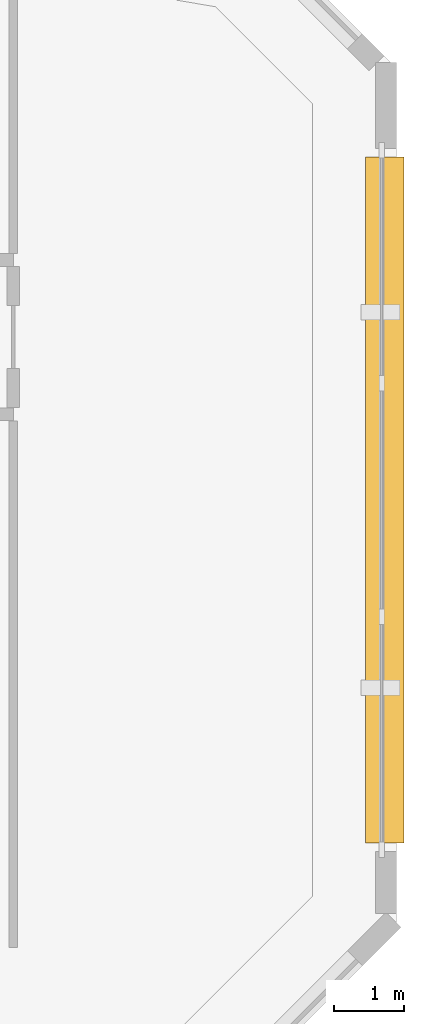
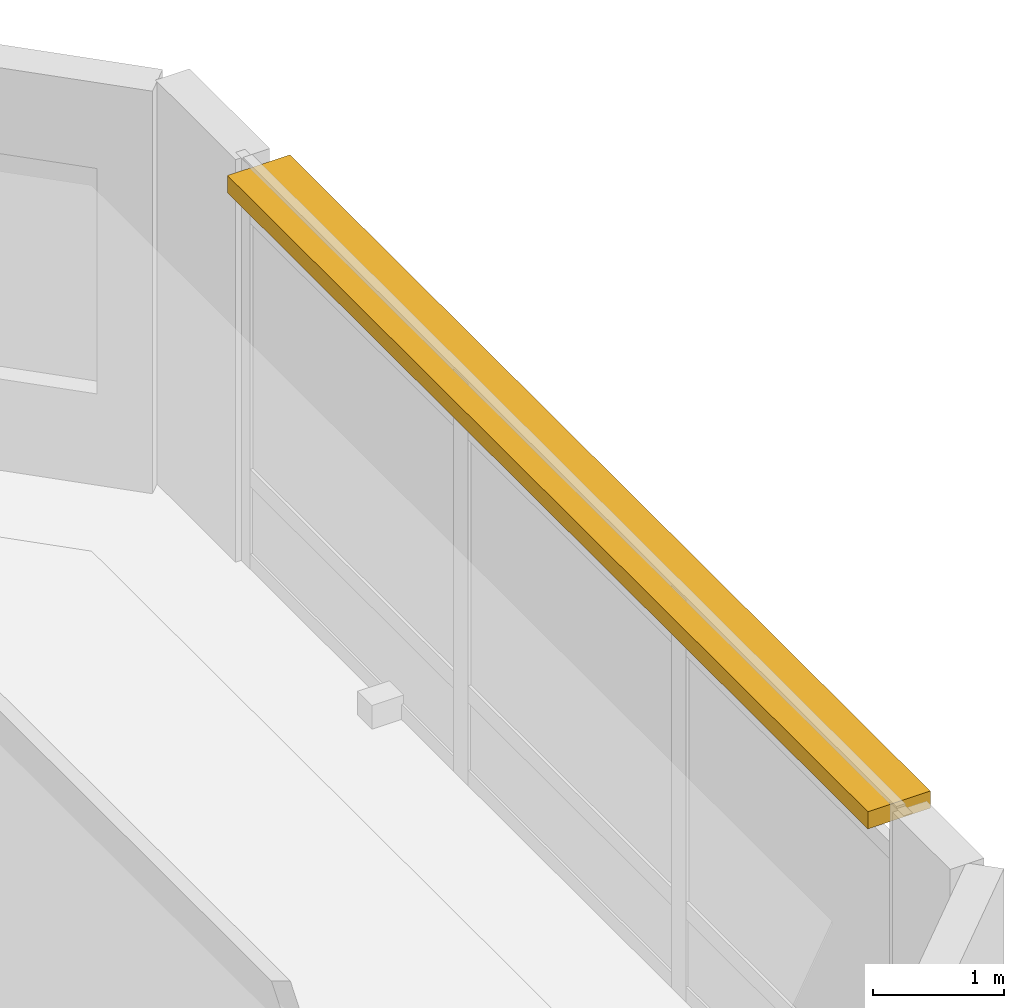
# One storey, part 10 of 10: 1 shading device.
"""IFC4 building model written with IfcOpenShell, lengths in metres."""

from ifc_helpers import new_model, si_unit, direction, frame, frame_2d, origin, place, context, subcontext, project, spatial, rectangle, extrude, material, type_object, element, save


model = new_model("IFC4")

# Units and contexts
model_context = context("Model", 3, precision=1e-05, world=origin(), true_north=direction((0.0, 1.0)))
body_context = subcontext(model_context, "Body", "Model", "MODEL_VIEW")
ifc_project = project(units=[si_unit("LENGTHUNIT", "METRE"), si_unit("AREAUNIT", "SQUARE_METRE"), si_unit("VOLUMEUNIT", "CUBIC_METRE"), si_unit("PLANEANGLEUNIT", "RADIAN"), si_unit("MASSUNIT", "GRAM", prefix="KILO")], contexts=[model_context])

# Site, building, storey
site_placement = place(None, origin())
site = spatial("IfcSite", under=ifc_project, at=site_placement, CompositionType="ELEMENT")
building_placement = place(site_placement, origin())
building = spatial("IfcBuilding", under=site, at=building_placement, Name="Calvemar Wedge Station Tower", CompositionType="ELEMENT")
storey_placement = place(building_placement, frame((0.0, 0.0, 87.0)))
storey = spatial("IfcBuildingStorey", under=building, at=storey_placement, Name="L21", CompositionType="ELEMENT", Elevation=87.0)

# Shading device
ifc_material = material(Name="Precast concrete C45", Category="concrete")
shading_device_type = type_object("IfcShadingDeviceType", Name="SHD-EYEBROW-1", PredefinedType="SHUTTER", material=ifc_material)
shading_device_placement = place(storey_placement, frame((56.030029296875, 34.489990234375, 3.570068359375), z_axis=(0.0, 0.0, 1.0), x_axis=(0.0, 1.0, 0.0)))
element("IfcShadingDevice", 1, at=shading_device_placement, inside=storey, type_object=shading_device_type, Name="Storey L21 Bronze GFRC Solar Eyebrow 8", PredefinedType="SHUTTER", context=body_context, shape_type="SweptSolid", body=[
    extrude(rectangle(XDim=9.77587890625, YDim=0.550048828125, at=frame_2d((4.887939453125, 0.0))), origin(), (0.0, 0.0, 1.0), 0.159912109375),
])

save(model, "model.ifc")
